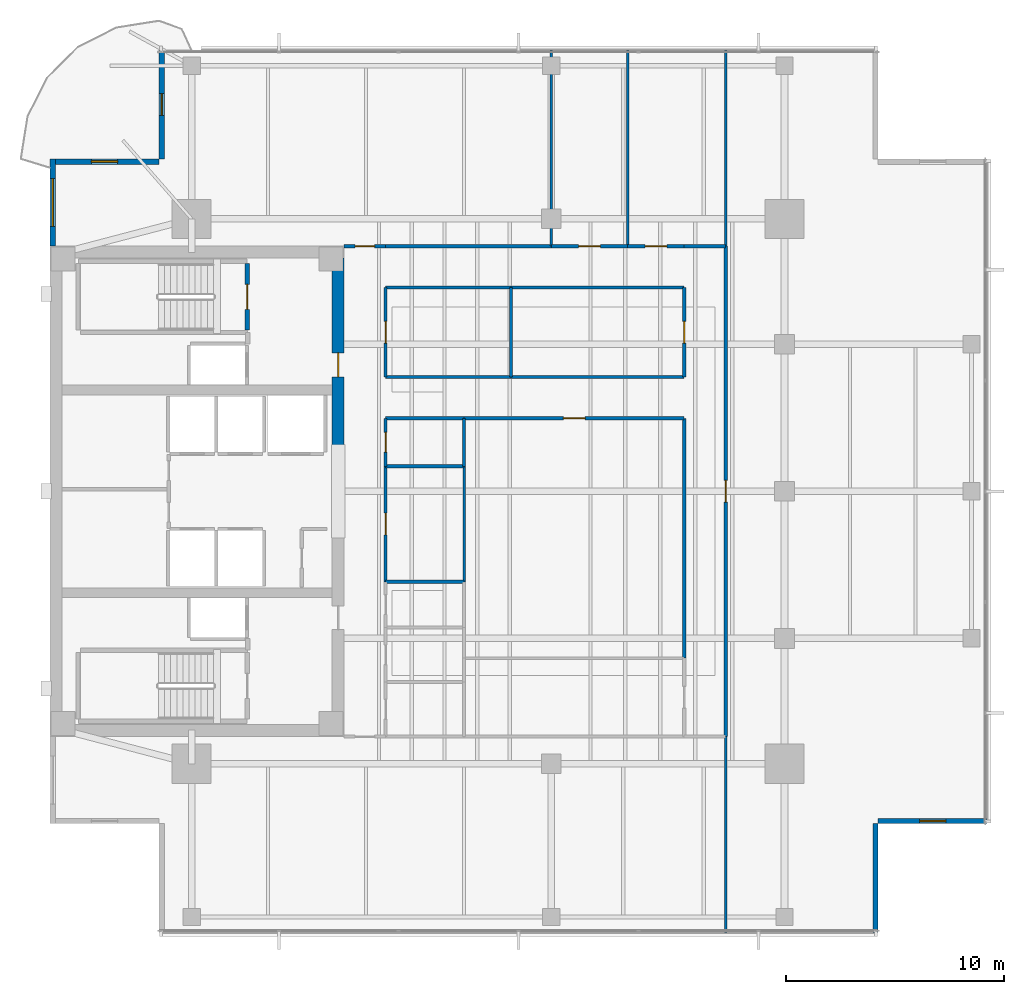
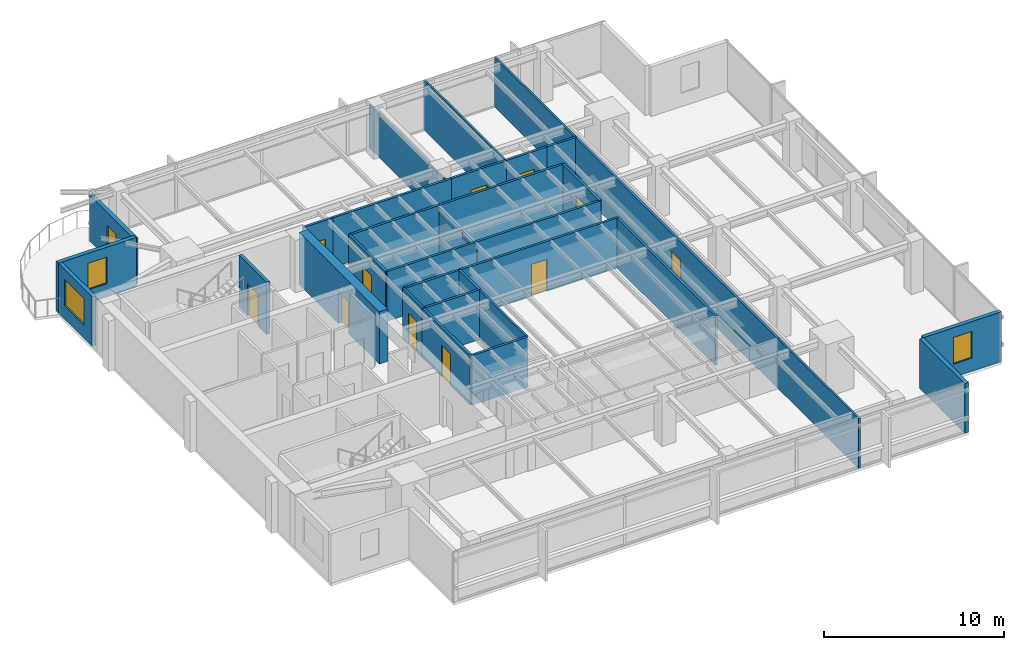
# One storey, part 9 of 14: 33 walls, 12 doors, 3 windows, 15 openings.
"""IFC4 building model written with IfcOpenShell, lengths in metres."""

from ifc_helpers import new_model, si_unit, direction, frame, frame_2d, origin, place, context, subcontext, project, spatial, rectangle, extrude, material, layer, layer_set, type_object, element, fill, save


model = new_model("IFC4")

# Units and contexts
model_context = context("Model", 3, precision=1e-05, world=origin(), true_north=direction((0.0, 1.0)))
body_context = subcontext(model_context, "Body", "Model", "MODEL_VIEW")
ifc_project = project(units=[si_unit("LENGTHUNIT", "METRE"), si_unit("AREAUNIT", "SQUARE_METRE"), si_unit("VOLUMEUNIT", "CUBIC_METRE"), si_unit("PLANEANGLEUNIT", "RADIAN"), si_unit("MASSUNIT", "GRAM", prefix="KILO")], contexts=[model_context])

# Site, building, storey
site_placement = place(None, origin())
site = spatial("IfcSite", under=ifc_project, at=site_placement, CompositionType="ELEMENT")
building_placement = place(site_placement, origin())
building = spatial("IfcBuilding", under=site, at=building_placement, Name="Kinhvarn Gate Tower", CompositionType="ELEMENT")
storey_placement = place(building_placement, frame((0.0, 0.0, 234.199951171875)))
storey = spatial("IfcBuildingStorey", under=building, at=storey_placement, Name="L62", CompositionType="ELEMENT", Elevation=234.199951171875)

# Wall, opening, door
ifc_material_1 = material(Name="Concrete C60/75", Category="concrete")
ifc_layer_1 = layer(ifc_material_1, 0.550048828125)
ifc_layer_set_1 = layer_set([ifc_layer_1], Name="Concrete C60/75")
wall_type_1 = type_object("IfcWallType", Name="WL-CORE-550", PredefinedType="SHEAR", material=ifc_layer_set_1)
wall_1_placement = place(storey_placement, frame((17.72509765625, 27.050048828125, 0.0), z_axis=(0.0, 0.0, 1.0), x_axis=(0.0, 1.0, 0.0)))
wall_1 = element("IfcWall", 1, at=wall_1_placement, inside=storey, type_object=wall_type_1, Name="Core East-North Shear Pier L62 550 mm", PredefinedType="SHEAR", context=body_context, shape_type="SweptSolid", body=[
    extrude(rectangle(XDim=8.89990234375, YDim=0.550048828125, at=frame_2d((4.449951171875, 0.0))), origin(), (0.0, 0.0, 1.0), 3.550048828125),
])
opening_1_placement = place(wall_1_placement, frame((3.449951171875, 0.0, 0.0)))
opening_1 = element("IfcOpeningElement", 2, at=opening_1_placement, cuts=wall_1, Name="Opening FD-02", PredefinedType="OPENING", context=body_context, shape_type="SweptSolid", body=[
    extrude(rectangle(XDim=1.10009765625, YDim=2.14990234375, at=frame_2d((0.550048828125, 1.074951171875))), frame((0.0, 0.28515625, 0.0), z_axis=(0.0, -1.0, 0.0), x_axis=(1.0, 0.0, 0.0)), (0.0, 0.0, 1.0), 0.570068359375),
])
ifc_material_2 = material(Name="Anodised aluminium AW-6063", Category="aluminium")
door_type_1 = type_object("IfcDoorType", Name="DR-FD-1100", OperationType="NOTDEFINED", PredefinedType="DOOR", material=ifc_material_2)
door_1_placement = place(opening_1_placement, origin())
door_1 = element("IfcDoor", 3, at=door_1_placement, inside=storey, type_object=door_type_1, Name="Firefighting Lobby Core Door (L62)", OperationType="SINGLE_SWING_LEFT", OverallHeight=2.14990234375, OverallWidth=1.10009765625, PredefinedType="DOOR", context=body_context, shape_type="SweptSolid", body=[
    extrude(rectangle(XDim=1.10009765625, YDim=2.14990234375, at=frame_2d((0.550048828125, 1.074951171875))), frame((0.0, 0.02490234375, 0.0), z_axis=(0.0, -1.0, 0.0), x_axis=(1.0, 0.0, 0.0)), (0.0, 0.0, 1.0), 0.050048828125),
])
fill(opening_1, door_1)

# Wall, opening, window
ifc_material_3 = material(Name="Fired architectural terracotta", Category="masonry")
ifc_layer_2 = layer(ifc_material_3, 0.25)
ifc_layer_set_2 = layer_set([ifc_layer_2], Name="Fired architectural terracotta")
wall_type_2 = type_object("IfcWallType", Name="WL-EXT-250", PredefinedType="SOLIDWALL", material=ifc_layer_set_2)
wall_2_placement = place(storey_placement, frame((4.625, 40.5, 0.0), z_axis=(0.0, 0.0, 1.0), x_axis=(0.0, -1.0, 0.0)))
wall_2 = element("IfcWall", 4, at=wall_2_placement, inside=storey, type_object=wall_type_2, Name="Exterior Solidwall Wall EW-250 (L62 West-North)", PredefinedType="SOLIDWALL", context=body_context, shape_type="SweptSolid", body=[
    extrude(rectangle(XDim=4.0, YDim=0.25, at=frame_2d((2.0, 0.0))), origin(), (0.0, 0.0, 1.0), 3.3701171875),
])
opening_2_placement = place(wall_2_placement, frame((0.89990234375, 0.0, 0.89990234375)))
opening_2 = element("IfcOpeningElement", 5, at=opening_2_placement, cuts=wall_2, Name="Opening WN-01", PredefinedType="OPENING", context=body_context, shape_type="SweptSolid", body=[
    extrude(rectangle(XDim=2.199951171875, YDim=1.800048828125, at=frame_2d((1.10009765625, 0.89990234375))), frame((0.0, 0.135009765625, 0.0), z_axis=(0.0, -1.0, 0.0), x_axis=(1.0, 0.0, 0.0)), (0.0, 0.0, 1.0), 0.27001953125),
])
ifc_material_4 = material(Name="Clear low-e double glazing", Category="glass")
window_type_1 = type_object("IfcWindowType", Name="WIN-RIB-2200", PartitioningType="SINGLE_PANEL", PredefinedType="WINDOW", material=ifc_material_4)
window_1_placement = place(opening_2_placement, origin())
window_1 = element("IfcWindow", 6, at=window_1_placement, inside=storey, type_object=window_type_1, Name="West Flank Double-Glazed Ribbon Window 2200x1800 mm (L62)", OverallHeight=1.800048828125, OverallWidth=2.199951171875, PartitioningType="SINGLE_PANEL", PredefinedType="WINDOW", context=body_context, shape_type="SweptSolid", body=[
    extrude(rectangle(XDim=2.199951171875, YDim=1.800048828125, at=frame_2d((1.10009765625, 0.89990234375))), frame((0.0, 0.030029296875, 0.0), z_axis=(0.0, -1.0, 0.0), x_axis=(1.0, 0.0, 0.0)), (0.0, 0.0, 1.0), 0.06005859375),
])
fill(opening_2, window_1)

# Wall
wall_3_placement = place(storey_placement, frame((42.375, 5.0, 0.0), z_axis=(0.0, 0.0, 1.0), x_axis=(0.0, 1.0, 0.0)))
element("IfcWall", 7, at=wall_3_placement, inside=storey, type_object=wall_type_2, Name="Exterior Solidwall Wall EW-250 (L62 SE-Notch-1)", PredefinedType="SOLIDWALL", context=body_context, shape_type="SweptSolid", body=[
    extrude(rectangle(XDim=5.0, YDim=0.25, at=frame_2d((2.5, 0.0))), origin(), (0.0, 0.0, 1.0), 3.3701171875),
])

# Wall, opening, window
wall_4_placement = place(storey_placement, frame((42.5, 10.125, 0.0), z_axis=(0.0, 0.0, 1.0), x_axis=(1.0, 0.0, 0.0)))
wall_4 = element("IfcWall", 8, at=wall_4_placement, inside=storey, type_object=wall_type_2, Name="Exterior Solidwall Wall EW-250 (L62 SE-Notch-2)", PredefinedType="SOLIDWALL", context=body_context, shape_type="SweptSolid", body=[
    extrude(rectangle(XDim=5.0, YDim=0.25, at=frame_2d((2.5, 0.0))), origin(), (0.0, 0.0, 1.0), 3.3701171875),
])
opening_3_placement = place(wall_4_placement, frame((1.89990234375, 0.0, 0.89990234375)))
opening_3 = element("IfcOpeningElement", 9, at=opening_3_placement, cuts=wall_4, Name="Opening WN-02", PredefinedType="OPENING", context=body_context, shape_type="SweptSolid", body=[
    extrude(rectangle(XDim=1.199951171875, YDim=1.800048828125, at=frame_2d((0.60009765625, 0.89990234375))), frame((0.0, 0.135009765625, 0.0), z_axis=(0.0, -1.0, 0.0), x_axis=(1.0, 0.0, 0.0)), (0.0, 0.0, 1.0), 0.27001953125),
])
window_type_2 = type_object("IfcWindowType", Name="WIN-NTC-1200", PartitioningType="SINGLE_PANEL", PredefinedType="WINDOW", material=ifc_material_4)
window_2_placement = place(opening_3_placement, origin())
window_2 = element("IfcWindow", 10, at=window_2_placement, inside=storey, type_object=window_type_2, Name="Recessed Corner Notch Punched Window 1200x1800 mm (L62)", OverallHeight=1.800048828125, OverallWidth=1.199951171875, PartitioningType="SINGLE_PANEL", PredefinedType="WINDOW", context=body_context, shape_type="SweptSolid", body=[
    extrude(rectangle(XDim=1.199951171875, YDim=1.800048828125, at=frame_2d((0.60009765625, 0.89990234375))), frame((0.0, 0.030029296875, 0.0), z_axis=(0.0, -1.0, 0.0), x_axis=(1.0, 0.0, 0.0)), (0.0, 0.0, 1.0), 0.06005859375),
])
fill(opening_3, window_2)

# Wall, opening, door
wall_5_placement = place(storey_placement, frame((9.625, 45.5, 0.0), z_axis=(0.0, 0.0, 1.0), x_axis=(0.0, -1.0, 0.0)))
wall_5 = element("IfcWall", 11, at=wall_5_placement, inside=storey, type_object=wall_type_2, Name="Exterior Solidwall Wall EW-250 (L62 NW-Notch-Door)", PredefinedType="SOLIDWALL", context=body_context, shape_type="SweptSolid", body=[
    extrude(rectangle(XDim=5.0, YDim=0.25, at=frame_2d((2.5, 0.0))), origin(), (0.0, 0.0, 1.0), 3.10009765625),
])
opening_4_placement = place(wall_5_placement, frame((2.0, 0.0, 0.0)))
opening_4 = element("IfcOpeningElement", 12, at=opening_4_placement, cuts=wall_5, Name="Opening BD-01", PredefinedType="OPENING", context=body_context, shape_type="SweptSolid", body=[
    extrude(rectangle(XDim=1.0, YDim=2.199951171875, at=frame_2d((0.5, 1.10009765625))), frame((0.0, 0.135009765625, 0.0), z_axis=(0.0, -1.0, 0.0), x_axis=(1.0, 0.0, 0.0)), (0.0, 0.0, 1.0), 0.27001953125),
])
door_type_2 = type_object("IfcDoorType", Name="DR-BAL-1000", OperationType="NOTDEFINED", PredefinedType="DOOR", material=ifc_material_4)
door_2_placement = place(opening_4_placement, frame((1.0, 0.0, 0.0), z_axis=(0.0, 0.0, 1.0), x_axis=(-1.0, 0.0, 0.0)))
door_2 = element("IfcDoor", 13, at=door_2_placement, inside=storey, type_object=door_type_2, Name="S-Carve Balcony Door BD-01 (L62)", OperationType="SINGLE_SWING_RIGHT", OverallHeight=2.199951171875, OverallWidth=1.0, PredefinedType="DOOR", context=body_context, shape_type="SweptSolid", body=[
    extrude(rectangle(XDim=1.0, YDim=2.199951171875, at=frame_2d((0.5, 1.10009765625))), frame((0.0, 0.02490234375, 0.0), z_axis=(0.0, -1.0, 0.0), x_axis=(1.0, 0.0, 0.0)), (0.0, 0.0, 1.0), 0.050048828125),
])
fill(opening_4, door_2)

# Wall, opening, window
wall_6_placement = place(storey_placement, frame((9.5, 40.375, 0.0), z_axis=(0.0, 0.0, 1.0), x_axis=(-1.0, 0.0, 0.0)))
wall_6 = element("IfcWall", 14, at=wall_6_placement, inside=storey, type_object=wall_type_2, Name="Exterior Solidwall Wall EW-250 (L62 NW-Notch-Win)", PredefinedType="SOLIDWALL", context=body_context, shape_type="SweptSolid", body=[
    extrude(rectangle(XDim=5.0, YDim=0.25, at=frame_2d((2.5, 0.0))), origin(), (0.0, 0.0, 1.0), 3.3701171875),
])
opening_5_placement = place(wall_6_placement, frame((1.89990234375, 0.0, 0.89990234375)))
opening_5 = element("IfcOpeningElement", 15, at=opening_5_placement, cuts=wall_6, Name="Opening WN-02", PredefinedType="OPENING", context=body_context, shape_type="SweptSolid", body=[
    extrude(rectangle(XDim=1.199951171875, YDim=1.800048828125, at=frame_2d((0.60009765625, 0.89990234375))), frame((0.0, 0.135009765625, 0.0), z_axis=(0.0, -1.0, 0.0), x_axis=(1.0, 0.0, 0.0)), (0.0, 0.0, 1.0), 0.27001953125),
])
window_3_placement = place(opening_5_placement, origin())
window_3 = element("IfcWindow", 16, at=window_3_placement, inside=storey, type_object=window_type_2, Name="Recessed Corner Notch Punched Window 1200x1800 mm (L62)", OverallHeight=1.800048828125, OverallWidth=1.199951171875, PartitioningType="SINGLE_PANEL", PredefinedType="WINDOW", context=body_context, shape_type="SweptSolid", body=[
    extrude(rectangle(XDim=1.199951171875, YDim=1.800048828125, at=frame_2d((0.60009765625, 0.89990234375))), frame((0.0, 0.030029296875, 0.0), z_axis=(0.0, -1.0, 0.0), x_axis=(1.0, 0.0, 0.0)), (0.0, 0.0, 1.0), 0.06005859375),
])
fill(opening_5, window_3)

# Walls
ifc_material_5 = material(Name="Gypsum acoustic partition board")
ifc_layer_3 = layer(ifc_material_5, 0.14990234375)
ifc_layer_set_3 = layer_set([ifc_layer_3], Name="Gypsum acoustic partition board")
wall_type_3 = type_object("IfcWallType", Name="WL-PLM-150", PredefinedType="PLUMBINGWALL", material=ifc_layer_set_3)
for number, where, z_axis, x_axis, name in (
    (17, (19.89990234375, 21.10009765625, 0.0), (0.0, 0.0, 1.0), (1.0, 0.0, 0.0), "Interior Partition PLW-150 (L62)"),
    (18, (19.89990234375, 26.39990234375, 0.0), (0.0, 0.0, 1.0), (1.0, 0.0, 0.0), "Interior Partition PLW-150 (L62)"),
):
    element("IfcWall", number, at=place(storey_placement, frame(where, z_axis=z_axis, x_axis=x_axis)), inside=storey, type_object=wall_type_3, Name=name, PredefinedType="PLUMBINGWALL", context=body_context, shape_type="SweptSolid", body=[
        extrude(rectangle(XDim=3.60009765625, YDim=0.14990234375, at=frame_2d((1.800048828125, 0.0))), origin(), (0.0, 0.0, 1.0), 3.3701171875),
    ])
wall_7_placement = place(storey_placement, frame((23.5, 26.39990234375, 0.0), z_axis=(0.0, 0.0, 1.0), x_axis=(0.0, 1.0, 0.0)))
element("IfcWall", 19, at=wall_7_placement, inside=storey, type_object=wall_type_3, Name="Interior Partition PLW-150 (L62)", PredefinedType="PLUMBINGWALL", context=body_context, shape_type="SweptSolid", body=[
    extrude(rectangle(XDim=2.2001953125, YDim=0.14990234375, at=frame_2d((1.10009765625, 0.0))), origin(), (0.0, 0.0, 1.0), 3.3701171875),
])

# Wall, opening, door
ifc_layer_4 = layer(ifc_material_5, 0.14990234375)
ifc_layer_set_4 = layer_set([ifc_layer_4], Name="Gypsum acoustic partition board")
wall_type_4 = type_object("IfcWallType", Name="WL-PLM-150F", PredefinedType="PLUMBINGWALL", material=ifc_layer_set_4)
wall_8_placement = place(storey_placement, frame((19.89990234375, 26.39990234375, 0.0), z_axis=(0.0, 0.0, 1.0), x_axis=(0.0, 1.0, 0.0)))
wall_8 = element("IfcWall", 20, at=wall_8_placement, inside=storey, type_object=wall_type_4, Name="Interior Partition PLW-150F (L62)", PredefinedType="PLUMBINGWALL", context=body_context, shape_type="SweptSolid", body=[
    extrude(rectangle(XDim=2.2001953125, YDim=0.14990234375, at=frame_2d((1.10009765625, 0.0))), origin(), (0.0, 0.0, 1.0), 3.3701171875),
])
opening_6_placement = place(wall_8_placement, frame((0.64990234375, 0.0, 0.0)))
opening_6 = element("IfcOpeningElement", 21, at=opening_6_placement, cuts=wall_8, Name="Opening FD-04", PredefinedType="OPENING", context=body_context, shape_type="SweptSolid", body=[
    extrude(rectangle(XDim=0.89990234375, YDim=2.10009765625, at=frame_2d((0.449951171875, 1.050048828125))), frame((0.0, 0.0849609375, 0.0), z_axis=(0.0, -1.0, 0.0), x_axis=(1.0, 0.0, 0.0)), (0.0, 0.0, 1.0), 0.169921875),
])
door_type_3 = type_object("IfcDoorType", Name="DR-FD-900", OperationType="NOTDEFINED", PredefinedType="DOOR", material=ifc_material_2)
door_3_placement = place(opening_6_placement, origin())
door_3 = element("IfcDoor", 22, at=door_3_placement, inside=storey, type_object=door_type_3, Name="Rated Riser & Service Closet Fire Door 900x2100 mm (L62)", OperationType="SINGLE_SWING_LEFT", OverallHeight=2.10009765625, OverallWidth=0.89990234375, PredefinedType="DOOR", context=body_context, shape_type="SweptSolid", body=[
    extrude(rectangle(XDim=0.89990234375, YDim=2.10009765625, at=frame_2d((0.449951171875, 1.050048828125))), frame((0.0, 0.02490234375, 0.0), z_axis=(0.0, -1.0, 0.0), x_axis=(1.0, 0.0, 0.0)), (0.0, 0.0, 1.0), 0.050048828125),
])
fill(opening_6, door_3)

# Walls
wall_9_placement = place(storey_placement, frame((19.89990234375, 28.60009765625, 0.0), z_axis=(0.0, 0.0, 1.0), x_axis=(1.0, 0.0, 0.0)))
element("IfcWall", 23, at=wall_9_placement, inside=storey, type_object=wall_type_4, Name="Interior Partition PLW-150F (L62)", PredefinedType="PLUMBINGWALL", context=body_context, shape_type="SweptSolid", body=[
    extrude(rectangle(XDim=3.60009765625, YDim=0.14990234375, at=frame_2d((1.800048828125, 0.0))), origin(), (0.0, 0.0, 1.0), 3.3701171875),
])
ifc_layer_5 = layer(ifc_material_5, 0.1201171875)
ifc_layer_set_5 = layer_set([ifc_layer_5], Name="Gypsum acoustic partition board")
wall_type_5 = type_object("IfcWallType", Name="WL-PRT-120", PredefinedType="PARTITIONING", material=ifc_layer_set_5)
wall_10_placement = place(storey_placement, frame((25.64990234375, 30.5, 0.0), z_axis=(0.0, 0.0, 1.0), x_axis=(0.0, 1.0, 0.0)))
element("IfcWall", 24, at=wall_10_placement, inside=storey, type_object=wall_type_5, Name="Interior Partition PW-120 (L62)", PredefinedType="PARTITIONING", context=body_context, shape_type="SweptSolid", body=[
    extrude(rectangle(XDim=4.10009765625, YDim=0.1201171875, at=frame_2d((2.050048828125, 0.0))), origin(), (0.0, 0.0, 1.0), 3.070068359375),
])
wall_11_placement = place(storey_placement, frame((23.5, 21.10009765625, 0.0), z_axis=(0.0, 0.0, 1.0), x_axis=(0.0, 1.0, 0.0)))
element("IfcWall", 25, at=wall_11_placement, inside=storey, type_object=wall_type_5, Name="Interior Partition PW-120 (L62)", PredefinedType="PARTITIONING", context=body_context, shape_type="SweptSolid", body=[
    extrude(rectangle(XDim=5.2998046875, YDim=0.1201171875, at=frame_2d((2.64990234375, 0.0))), origin(), (0.0, 0.0, 1.0), 3.3701171875),
])
wall_12_placement = place(storey_placement, frame((35.5, 5.010009765625, 0.0), z_axis=(0.0, 0.0, 1.0), x_axis=(0.0, 1.0, 0.0)))
element("IfcWall", 26, at=wall_12_placement, inside=storey, type_object=wall_type_5, Name="Interior Partition PW-120 (L62)", PredefinedType="PARTITIONING", context=body_context, shape_type="SweptSolid", body=[
    extrude(rectangle(XDim=8.989990234375, YDim=0.1201171875, at=frame_2d((4.4951171875, 0.0))), origin(), (0.0, 0.0, 1.0), 3.3701171875),
])
wall_13_placement = place(storey_placement, frame((27.5, 36.5, 0.0), z_axis=(0.0, 0.0, 1.0), x_axis=(0.0, 1.0, 0.0)))
element("IfcWall", 27, at=wall_13_placement, inside=storey, type_object=wall_type_5, Name="Interior Partition PW-120 (L62)", PredefinedType="PARTITIONING", context=body_context, shape_type="SweptSolid", body=[
    extrude(rectangle(XDim=8.989990234375, YDim=0.1201171875, at=frame_2d((4.4951171875, 0.0))), origin(), (0.0, 0.0, 1.0), 2.920166015625),
])
for number, where, z_axis, x_axis, name in (
    (28, (31.0, 36.5, 0.0), (0.0, 0.0, 1.0), (0.0, 1.0, 0.0), "Interior Partition PW-120 (L62)"),
    (29, (35.5, 36.5, 0.0), (0.0, 0.0, 1.0), (0.0, 1.0, 0.0), "Interior Partition PW-120 (L62)"),
):
    element("IfcWall", number, at=place(storey_placement, frame(where, z_axis=z_axis, x_axis=x_axis)), inside=storey, type_object=wall_type_5, Name=name, PredefinedType="PARTITIONING", context=body_context, shape_type="SweptSolid", body=[
        extrude(rectangle(XDim=8.989990234375, YDim=0.1201171875, at=frame_2d((4.4951171875, 0.0))), origin(), (0.0, 0.0, 1.0), 3.3701171875),
    ])

# Wall, opening, door
ifc_layer_6 = layer(ifc_material_5, 0.14990234375)
ifc_layer_set_6 = layer_set([ifc_layer_6], Name="Gypsum acoustic partition board")
wall_type_6 = type_object("IfcWallType", Name="WL-PRT-150F", PredefinedType="PARTITIONING", material=ifc_layer_set_6)
wall_14_placement = place(storey_placement, frame((19.89990234375, 30.5, 0.0), z_axis=(0.0, 0.0, 1.0), x_axis=(0.0, 1.0, 0.0)))
wall_14 = element("IfcWall", 30, at=wall_14_placement, inside=storey, type_object=wall_type_6, Name="Interior Partition PW-150F (L62)", PredefinedType="PARTITIONING", context=body_context, shape_type="SweptSolid", body=[
    extrude(rectangle(XDim=4.10009765625, YDim=0.14990234375, at=frame_2d((2.050048828125, 0.0))), origin(), (0.0, 0.0, 1.0), 3.3701171875),
])
opening_7_placement = place(wall_14_placement, frame((1.550048828125, 0.0, 0.0)))
opening_7 = element("IfcOpeningElement", 31, at=opening_7_placement, cuts=wall_14, Name="Opening ID-02", PredefinedType="OPENING", context=body_context, shape_type="SweptSolid", body=[
    extrude(rectangle(XDim=1.0, YDim=2.14990234375, at=frame_2d((0.5, 1.074951171875))), frame((0.0, 0.0849609375, 0.0), z_axis=(0.0, -1.0, 0.0), x_axis=(1.0, 0.0, 0.0)), (0.0, 0.0, 1.0), 0.169921875),
])
door_type_4 = type_object("IfcDoorType", Name="DR-INT-1000", OperationType="NOTDEFINED", PredefinedType="DOOR", material=ifc_material_2)
door_4_placement = place(opening_7_placement, origin())
door_4 = element("IfcDoor", 32, at=door_4_placement, inside=storey, type_object=door_type_4, Name="Standard Office & Meeting Room Door 1000x2150 mm (L62)", OperationType="SINGLE_SWING_LEFT", OverallHeight=2.14990234375, OverallWidth=1.0, PredefinedType="DOOR", context=body_context, shape_type="SweptSolid", body=[
    extrude(rectangle(XDim=1.0, YDim=2.14990234375, at=frame_2d((0.5, 1.074951171875))), frame((0.0, 0.02490234375, 0.0), z_axis=(0.0, -1.0, 0.0), x_axis=(1.0, 0.0, 0.0)), (0.0, 0.0, 1.0), 0.050048828125),
])
fill(opening_7, door_4)

wall_15_placement = place(storey_placement, frame((19.89990234375, 21.10009765625, 0.0), z_axis=(0.0, 0.0, 1.0), x_axis=(0.0, 1.0, 0.0)))
wall_15 = element("IfcWall", 33, at=wall_15_placement, inside=storey, type_object=wall_type_6, Name="Interior Partition PW-150F (L62)", PredefinedType="PARTITIONING", context=body_context, shape_type="SweptSolid", body=[
    extrude(rectangle(XDim=5.2998046875, YDim=0.14990234375, at=frame_2d((2.64990234375, 0.0))), origin(), (0.0, 0.0, 1.0), 3.3701171875),
])
opening_8_placement = place(wall_15_placement, frame((2.14990234375, 0.0, 0.0)))
opening_8 = element("IfcOpeningElement", 34, at=opening_8_placement, cuts=wall_15, Name="Opening ID-02", PredefinedType="OPENING", context=body_context, shape_type="SweptSolid", body=[
    extrude(rectangle(XDim=1.0, YDim=2.14990234375, at=frame_2d((0.5, 1.074951171875))), frame((0.0, 0.0849609375, 0.0), z_axis=(0.0, -1.0, 0.0), x_axis=(1.0, 0.0, 0.0)), (0.0, 0.0, 1.0), 0.169921875),
])
door_5_placement = place(opening_8_placement, origin())
door_5 = element("IfcDoor", 35, at=door_5_placement, inside=storey, type_object=door_type_4, Name="Standard Office & Meeting Room Door 1000x2150 mm (L62)", OperationType="SINGLE_SWING_RIGHT", OverallHeight=2.14990234375, OverallWidth=1.0, PredefinedType="DOOR", context=body_context, shape_type="SweptSolid", body=[
    extrude(rectangle(XDim=1.0, YDim=2.14990234375, at=frame_2d((0.5, 1.074951171875))), frame((0.0, 0.02490234375, 0.0), z_axis=(0.0, -1.0, 0.0), x_axis=(1.0, 0.0, 0.0)), (0.0, 0.0, 1.0), 0.050048828125),
])
fill(opening_8, door_5)

wall_16_placement = place(storey_placement, frame((18.0, 36.5, 0.0), z_axis=(0.0, 0.0, 1.0), x_axis=(1.0, 0.0, 0.0)))
wall_16 = element("IfcWall", 36, at=wall_16_placement, inside=storey, type_object=wall_type_6, Name="Interior Partition PW-150F (L62)", PredefinedType="PARTITIONING", context=body_context, shape_type="SweptSolid", body=[
    extrude(rectangle(XDim=1.89990234375, YDim=0.14990234375, at=frame_2d((0.949951171875, 0.0))), origin(), (0.0, 0.0, 1.0), 3.3701171875),
])
opening_9_placement = place(wall_16_placement, frame((0.5, 0.0, 0.0)))
opening_9 = element("IfcOpeningElement", 37, at=opening_9_placement, cuts=wall_16, Name="Opening ID-03", PredefinedType="OPENING", context=body_context, shape_type="SweptSolid", body=[
    extrude(rectangle(XDim=0.89990234375, YDim=2.10009765625, at=frame_2d((0.449951171875, 1.050048828125))), frame((0.0, 0.0849609375, 0.0), z_axis=(0.0, -1.0, 0.0), x_axis=(1.0, 0.0, 0.0)), (0.0, 0.0, 1.0), 0.169921875),
])
door_type_5 = type_object("IfcDoorType", Name="DR-INT-900", OperationType="NOTDEFINED", PredefinedType="DOOR", material=ifc_material_2)
door_6_placement = place(opening_9_placement, origin())
door_6 = element("IfcDoor", 38, at=door_6_placement, inside=storey, type_object=door_type_5, Name="Cellular Office & Restroom Door 900x2100 mm (L62)", OperationType="SINGLE_SWING_RIGHT", OverallHeight=2.10009765625, OverallWidth=0.89990234375, PredefinedType="DOOR", context=body_context, shape_type="SweptSolid", body=[
    extrude(rectangle(XDim=0.89990234375, YDim=2.10009765625, at=frame_2d((0.449951171875, 1.050048828125))), frame((0.0, 0.02490234375, 0.0), z_axis=(0.0, -1.0, 0.0), x_axis=(1.0, 0.0, 0.0)), (0.0, 0.0, 1.0), 0.050048828125),
])
fill(opening_9, door_6)

# Walls
wall_17_placement = place(storey_placement, frame((19.89990234375, 30.5, 0.0), z_axis=(0.0, 0.0, 1.0), x_axis=(1.0, 0.0, 0.0)))
element("IfcWall", 39, at=wall_17_placement, inside=storey, type_object=wall_type_6, Name="Interior Partition PW-150F (L62)", PredefinedType="PARTITIONING", context=body_context, shape_type="SweptSolid", body=[
    extrude(rectangle(XDim=5.75, YDim=0.14990234375, at=frame_2d((2.875, 0.0))), origin(), (0.0, 0.0, 1.0), 3.3701171875),
])
wall_18_placement = place(storey_placement, frame((25.64990234375, 30.5, 0.0), z_axis=(0.0, 0.0, 1.0), x_axis=(1.0, 0.0, 0.0)))
element("IfcWall", 40, at=wall_18_placement, inside=storey, type_object=wall_type_6, Name="Interior Partition PW-150F (L62)", PredefinedType="PARTITIONING", context=body_context, shape_type="SweptSolid", body=[
    extrude(rectangle(XDim=7.9501953125, YDim=0.14990234375, at=frame_2d((3.97509765625, 0.0))), origin(), (0.0, 0.0, 1.0), 3.3701171875),
])

# Wall, opening, door
wall_19_placement = place(storey_placement, frame((23.5, 28.60009765625, 0.0), z_axis=(0.0, 0.0, 1.0), x_axis=(1.0, 0.0, 0.0)))
wall_19 = element("IfcWall", 41, at=wall_19_placement, inside=storey, type_object=wall_type_6, Name="Interior Partition PW-150F (L62)", PredefinedType="PARTITIONING", context=body_context, shape_type="SweptSolid", body=[
    extrude(rectangle(XDim=10.10009765625, YDim=0.14990234375, at=frame_2d((5.050048828125, 0.0))), origin(), (0.0, 0.0, 1.0), 3.3701171875),
])
opening_10_placement = place(wall_19_placement, frame((4.550048828125, 0.0, 0.0)))
opening_10 = element("IfcOpeningElement", 42, at=opening_10_placement, cuts=wall_19, Name="Opening ID-02", PredefinedType="OPENING", context=body_context, shape_type="SweptSolid", body=[
    extrude(rectangle(XDim=1.0, YDim=2.14990234375, at=frame_2d((0.5, 1.074951171875))), frame((0.0, 0.0849609375, 0.0), z_axis=(0.0, -1.0, 0.0), x_axis=(1.0, 0.0, 0.0)), (0.0, 0.0, 1.0), 0.169921875),
])
door_7_placement = place(opening_10_placement, origin())
door_7 = element("IfcDoor", 43, at=door_7_placement, inside=storey, type_object=door_type_4, Name="Standard Office & Meeting Room Door 1000x2150 mm (L62)", OperationType="SINGLE_SWING_LEFT", OverallHeight=2.14990234375, OverallWidth=1.0, PredefinedType="DOOR", context=body_context, shape_type="SweptSolid", body=[
    extrude(rectangle(XDim=1.0, YDim=2.14990234375, at=frame_2d((0.5, 1.074951171875))), frame((0.0, 0.02490234375, 0.0), z_axis=(0.0, -1.0, 0.0), x_axis=(1.0, 0.0, 0.0)), (0.0, 0.0, 1.0), 0.050048828125),
])
fill(opening_10, door_7)

wall_20_placement = place(storey_placement, frame((33.60009765625, 30.5, 0.0), z_axis=(0.0, 0.0, 1.0), x_axis=(0.0, 1.0, 0.0)))
wall_20 = element("IfcWall", 44, at=wall_20_placement, inside=storey, type_object=wall_type_6, Name="Interior Partition PW-150F (L62)", PredefinedType="PARTITIONING", context=body_context, shape_type="SweptSolid", body=[
    extrude(rectangle(XDim=4.10009765625, YDim=0.14990234375, at=frame_2d((2.050048828125, 0.0))), origin(), (0.0, 0.0, 1.0), 3.3701171875),
])
opening_11_placement = place(wall_20_placement, frame((1.550048828125, 0.0, 0.0)))
opening_11 = element("IfcOpeningElement", 45, at=opening_11_placement, cuts=wall_20, Name="Opening ID-02", PredefinedType="OPENING", context=body_context, shape_type="SweptSolid", body=[
    extrude(rectangle(XDim=1.0, YDim=2.14990234375, at=frame_2d((0.5, 1.074951171875))), frame((0.0, 0.0849609375, 0.0), z_axis=(0.0, -1.0, 0.0), x_axis=(1.0, 0.0, 0.0)), (0.0, 0.0, 1.0), 0.169921875),
])
door_8_placement = place(opening_11_placement, origin())
door_8 = element("IfcDoor", 46, at=door_8_placement, inside=storey, type_object=door_type_4, Name="Standard Office & Meeting Room Door 1000x2150 mm (L62)", OperationType="SINGLE_SWING_RIGHT", OverallHeight=2.14990234375, OverallWidth=1.0, PredefinedType="DOOR", context=body_context, shape_type="SweptSolid", body=[
    extrude(rectangle(XDim=1.0, YDim=2.14990234375, at=frame_2d((0.5, 1.074951171875))), frame((0.0, 0.02490234375, 0.0), z_axis=(0.0, -1.0, 0.0), x_axis=(1.0, 0.0, 0.0)), (0.0, 0.0, 1.0), 0.050048828125),
])
fill(opening_11, door_8)

# Walls
wall_21_placement = place(storey_placement, frame((33.60009765625, 17.60009765625, 0.0), z_axis=(0.0, 0.0, 1.0), x_axis=(0.0, 1.0, 0.0)))
element("IfcWall", 47, at=wall_21_placement, inside=storey, type_object=wall_type_6, Name="Interior Partition PW-150F (L62)", PredefinedType="PARTITIONING", context=body_context, shape_type="SweptSolid", body=[
    extrude(rectangle(XDim=11.0, YDim=0.14990234375, at=frame_2d((5.5, 0.0))), origin(), (0.0, 0.0, 1.0), 3.3701171875),
])
wall_22_placement = place(storey_placement, frame((33.60009765625, 36.5, 0.0), z_axis=(0.0, 0.0, 1.0), x_axis=(1.0, 0.0, 0.0)))
element("IfcWall", 48, at=wall_22_placement, inside=storey, type_object=wall_type_6, Name="Interior Partition PW-150F (L62)", PredefinedType="PARTITIONING", context=body_context, shape_type="SweptSolid", body=[
    extrude(rectangle(XDim=1.89990234375, YDim=0.14990234375, at=frame_2d((0.949951171875, 0.0))), origin(), (0.0, 0.0, 1.0), 3.3701171875),
])

# Wall, opening, door
wall_23_placement = place(storey_placement, frame((35.5, 14.0, 0.0), z_axis=(0.0, 0.0, 1.0), x_axis=(0.0, 1.0, 0.0)))
wall_23 = element("IfcWall", 49, at=wall_23_placement, inside=storey, type_object=wall_type_6, Name="Interior Partition PW-150F (L62)", PredefinedType="PARTITIONING", context=body_context, shape_type="SweptSolid", body=[
    extrude(rectangle(XDim=22.5, YDim=0.14990234375, at=frame_2d((11.25, 0.0))), origin(), (0.0, 0.0, 1.0), 3.3701171875),
])
opening_12_placement = place(wall_23_placement, frame((10.75, 0.0, 0.0)))
opening_12 = element("IfcOpeningElement", 50, at=opening_12_placement, cuts=wall_23, Name="Opening ID-02", PredefinedType="OPENING", context=body_context, shape_type="SweptSolid", body=[
    extrude(rectangle(XDim=1.0, YDim=2.14990234375, at=frame_2d((0.5, 1.074951171875))), frame((0.0, 0.0849609375, 0.0), z_axis=(0.0, -1.0, 0.0), x_axis=(1.0, 0.0, 0.0)), (0.0, 0.0, 1.0), 0.169921875),
])
door_9_placement = place(opening_12_placement, origin())
door_9 = element("IfcDoor", 51, at=door_9_placement, inside=storey, type_object=door_type_4, Name="Standard Office & Meeting Room Door 1000x2150 mm (L62)", OperationType="SINGLE_SWING_RIGHT", OverallHeight=2.14990234375, OverallWidth=1.0, PredefinedType="DOOR", context=body_context, shape_type="SweptSolid", body=[
    extrude(rectangle(XDim=1.0, YDim=2.14990234375, at=frame_2d((0.5, 1.074951171875))), frame((0.0, 0.02490234375, 0.0), z_axis=(0.0, -1.0, 0.0), x_axis=(1.0, 0.0, 0.0)), (0.0, 0.0, 1.0), 0.050048828125),
])
fill(opening_12, door_9)

# Walls
wall_24_placement = place(storey_placement, frame((19.89990234375, 34.60009765625, 0.0), z_axis=(0.0, 0.0, 1.0), x_axis=(1.0, 0.0, 0.0)))
element("IfcWall", 52, at=wall_24_placement, inside=storey, type_object=wall_type_6, Name="Interior Partition PW-150F (L62)", PredefinedType="PARTITIONING", context=body_context, shape_type="SweptSolid", body=[
    extrude(rectangle(XDim=5.75, YDim=0.14990234375, at=frame_2d((2.875, 0.0))), origin(), (0.0, 0.0, 1.0), 3.3701171875),
])
wall_25_placement = place(storey_placement, frame((25.64990234375, 34.60009765625, 0.0), z_axis=(0.0, 0.0, 1.0), x_axis=(1.0, 0.0, 0.0)))
element("IfcWall", 53, at=wall_25_placement, inside=storey, type_object=wall_type_6, Name="Interior Partition PW-150F (L62)", PredefinedType="PARTITIONING", context=body_context, shape_type="SweptSolid", body=[
    extrude(rectangle(XDim=7.9501953125, YDim=0.14990234375, at=frame_2d((3.97509765625, 0.0))), origin(), (0.0, 0.0, 1.0), 3.3701171875),
])
wall_26_placement = place(storey_placement, frame((19.89990234375, 36.5, 0.0), z_axis=(0.0, 0.0, 1.0), x_axis=(1.0, 0.0, 0.0)))
element("IfcWall", 54, at=wall_26_placement, inside=storey, type_object=wall_type_6, Name="Interior Partition PW-150F (L62)", PredefinedType="PARTITIONING", context=body_context, shape_type="SweptSolid", body=[
    extrude(rectangle(XDim=7.60009765625, YDim=0.14990234375, at=frame_2d((3.800048828125, 0.0))), origin(), (0.0, 0.0, 1.0), 3.3701171875),
])

# Wall, opening, door
wall_27_placement = place(storey_placement, frame((27.5, 36.5, 0.0), z_axis=(0.0, 0.0, 1.0), x_axis=(1.0, 0.0, 0.0)))
wall_27 = element("IfcWall", 55, at=wall_27_placement, inside=storey, type_object=wall_type_6, Name="Interior Partition PW-150F (L62)", PredefinedType="PARTITIONING", context=body_context, shape_type="SweptSolid", body=[
    extrude(rectangle(XDim=3.5, YDim=0.14990234375, at=frame_2d((1.75, 0.0))), origin(), (0.0, 0.0, 1.0), 3.3701171875),
])
opening_13_placement = place(wall_27_placement, frame((1.25, 0.0, 0.0)))
opening_13 = element("IfcOpeningElement", 56, at=opening_13_placement, cuts=wall_27, Name="Opening ID-02", PredefinedType="OPENING", context=body_context, shape_type="SweptSolid", body=[
    extrude(rectangle(XDim=1.0, YDim=2.14990234375, at=frame_2d((0.5, 1.074951171875))), frame((0.0, 0.0849609375, 0.0), z_axis=(0.0, -1.0, 0.0), x_axis=(1.0, 0.0, 0.0)), (0.0, 0.0, 1.0), 0.169921875),
])
door_10_placement = place(opening_13_placement, origin())
door_10 = element("IfcDoor", 57, at=door_10_placement, inside=storey, type_object=door_type_4, Name="Standard Office & Meeting Room Door 1000x2150 mm (L62)", OperationType="SINGLE_SWING_LEFT", OverallHeight=2.14990234375, OverallWidth=1.0, PredefinedType="DOOR", context=body_context, shape_type="SweptSolid", body=[
    extrude(rectangle(XDim=1.0, YDim=2.14990234375, at=frame_2d((0.5, 1.074951171875))), frame((0.0, 0.02490234375, 0.0), z_axis=(0.0, -1.0, 0.0), x_axis=(1.0, 0.0, 0.0)), (0.0, 0.0, 1.0), 0.050048828125),
])
fill(opening_13, door_10)

wall_28_placement = place(storey_placement, frame((31.0, 36.5, 0.0), z_axis=(0.0, 0.0, 1.0), x_axis=(1.0, 0.0, 0.0)))
wall_28 = element("IfcWall", 58, at=wall_28_placement, inside=storey, type_object=wall_type_6, Name="Interior Partition PW-150F (L62)", PredefinedType="PARTITIONING", context=body_context, shape_type="SweptSolid", body=[
    extrude(rectangle(XDim=2.60009765625, YDim=0.14990234375, at=frame_2d((1.300048828125, 0.0))), origin(), (0.0, 0.0, 1.0), 3.3701171875),
])
opening_14_placement = place(wall_28_placement, frame((0.800048828125, 0.0, 0.0)))
opening_14 = element("IfcOpeningElement", 59, at=opening_14_placement, cuts=wall_28, Name="Opening ID-02", PredefinedType="OPENING", context=body_context, shape_type="SweptSolid", body=[
    extrude(rectangle(XDim=1.0, YDim=2.14990234375, at=frame_2d((0.5, 1.074951171875))), frame((0.0, 0.0849609375, 0.0), z_axis=(0.0, -1.0, 0.0), x_axis=(1.0, 0.0, 0.0)), (0.0, 0.0, 1.0), 0.169921875),
])
door_11_placement = place(opening_14_placement, origin())
door_11 = element("IfcDoor", 60, at=door_11_placement, inside=storey, type_object=door_type_4, Name="Standard Office & Meeting Room Door 1000x2150 mm (L62)", OperationType="SINGLE_SWING_RIGHT", OverallHeight=2.14990234375, OverallWidth=1.0, PredefinedType="DOOR", context=body_context, shape_type="SweptSolid", body=[
    extrude(rectangle(XDim=1.0, YDim=2.14990234375, at=frame_2d((0.5, 1.074951171875))), frame((0.0, 0.02490234375, 0.0), z_axis=(0.0, -1.0, 0.0), x_axis=(1.0, 0.0, 0.0)), (0.0, 0.0, 1.0), 0.050048828125),
])
fill(opening_14, door_11)

ifc_material_6 = material(Name="Concrete C40/50", Category="concrete")
ifc_layer_7 = layer(ifc_material_6, 0.199951171875)
ifc_layer_set_7 = layer_set([ifc_layer_7], Name="Concrete C40/50")
wall_type_7 = type_object("IfcWallType", Name="WL-SHF-200", PredefinedType="SOLIDWALL", material=ifc_layer_set_7)
wall_29_placement = place(storey_placement, frame((13.56005859375, 32.64990234375, 0.0), z_axis=(0.0, 0.0, 1.0), x_axis=(0.0, 1.0, 0.0)))
wall_29 = element("IfcWall", 61, at=wall_29_placement, inside=storey, type_object=wall_type_7, Name="Stair ST2 East Entry Wall (L62)", PredefinedType="SOLIDWALL", context=body_context, shape_type="SweptSolid", body=[
    extrude(rectangle(XDim=3.050048828125, YDim=0.199951171875, at=frame_2d((1.52490234375, 0.0))), origin(), (0.0, 0.0, 1.0), 3.550048828125),
])
opening_15_placement = place(wall_29_placement, frame((0.949951171875, 0.0, 0.0)))
opening_15 = element("IfcOpeningElement", 62, at=opening_15_placement, cuts=wall_29, Name="Opening FD-01", PredefinedType="OPENING", context=body_context, shape_type="SweptSolid", body=[
    extrude(rectangle(XDim=1.14990234375, YDim=2.14990234375, at=frame_2d((0.574951171875, 1.074951171875))), frame((0.0, 0.10986328125, 0.0), z_axis=(0.0, -1.0, 0.0), x_axis=(1.0, 0.0, 0.0)), (0.0, 0.0, 1.0), 0.219970703125),
])
door_type_6 = type_object("IfcDoorType", Name="DR-ST-1150", OperationType="NOTDEFINED", PredefinedType="DOOR", material=ifc_material_2)
door_12_placement = place(opening_15_placement, origin())
door_12 = element("IfcDoor", 63, at=door_12_placement, inside=storey, type_object=door_type_6, Name="Exit Stair ST2 Fire Door (L62)", OperationType="SINGLE_SWING_LEFT", OverallHeight=2.14990234375, OverallWidth=1.14990234375, PredefinedType="DOOR", context=body_context, shape_type="SweptSolid", body=[
    extrude(rectangle(XDim=1.14990234375, YDim=2.14990234375, at=frame_2d((0.574951171875, 1.074951171875))), frame((0.0, 0.02490234375, 0.0), z_axis=(0.0, -1.0, 0.0), x_axis=(1.0, 0.0, 0.0)), (0.0, 0.0, 1.0), 0.050048828125),
])
fill(opening_15, door_12)

save(model, "model.ifc")
